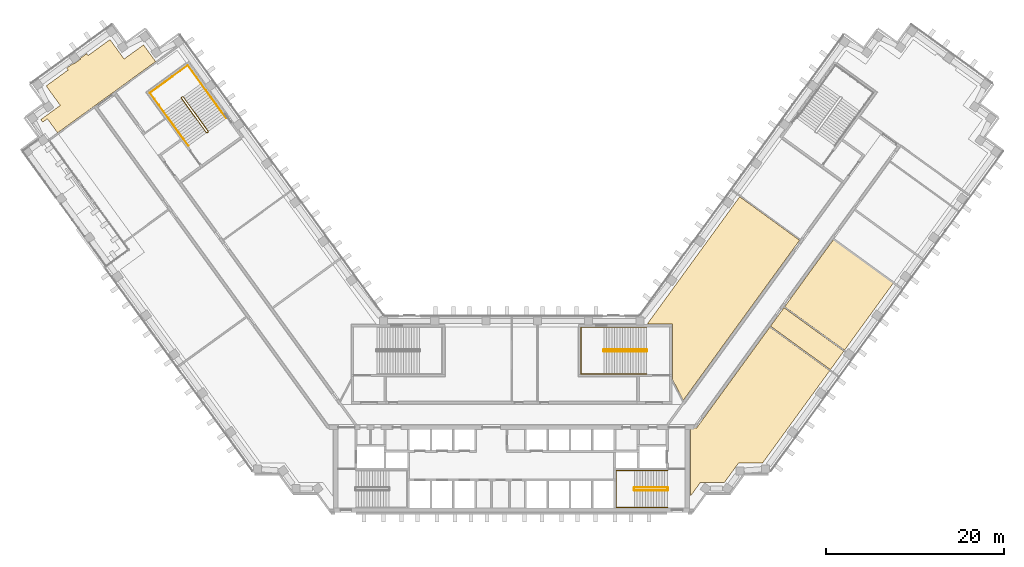
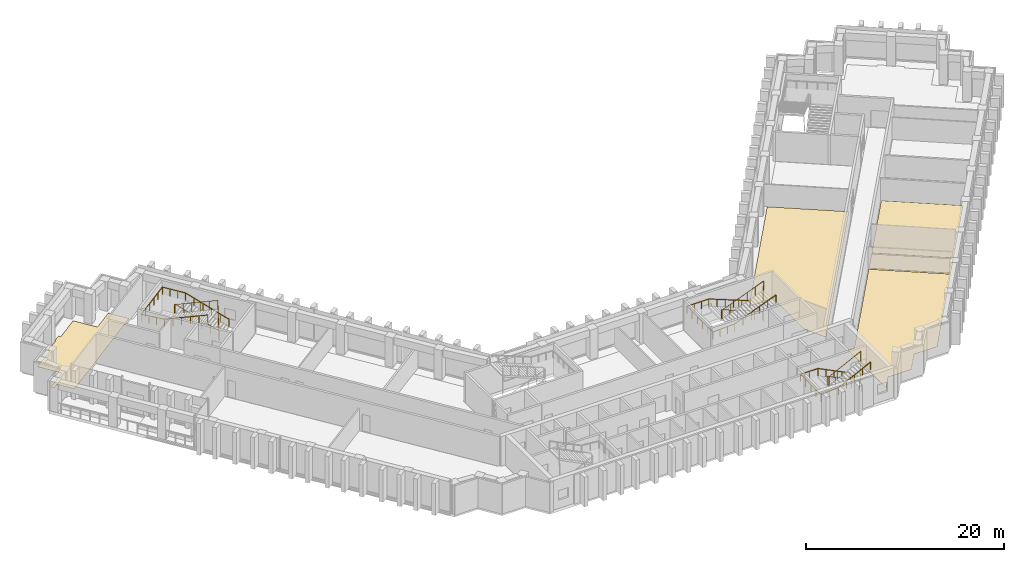
# One storey, part 16 of 17: 6 railings, 5 coverings.
"""IFC4 building model written with IfcOpenShell, lengths in metres."""

from ifc_helpers import new_model, si_unit, direction, frame, origin, origin_2d, place, context, subcontext, project, spatial, polyline, circle, outline, extrude, material, layer, layer_set, type_object, element, save


model = new_model("IFC4")

# Units and contexts
model_context = context("Model", 3, precision=1e-05, world=origin(), true_north=direction((0.0, 1.0)))
body_context = subcontext(model_context, "Body", "Model", "MODEL_VIEW")
ifc_project = project(units=[si_unit("LENGTHUNIT", "METRE"), si_unit("AREAUNIT", "SQUARE_METRE"), si_unit("VOLUMEUNIT", "CUBIC_METRE"), si_unit("PLANEANGLEUNIT", "RADIAN"), si_unit("MASSUNIT", "GRAM", prefix="KILO")], contexts=[model_context])

# Site, building, storey
site_placement = place(None, origin())
site = spatial("IfcSite", under=ifc_project, at=site_placement, CompositionType="ELEMENT")
building_placement = place(site_placement, origin())
building = spatial("IfcBuilding", under=site, at=building_placement, Name="Quipu Civic Tower", CompositionType="ELEMENT")
storey_placement = place(building_placement, frame((0.0, 0.0, 39.0)))
storey = spatial("IfcBuildingStorey", under=building, at=storey_placement, Name="L08", CompositionType="ELEMENT", Elevation=39.0)

# Coverings
ifc_material_1 = material(Name="Carpet tile on raised access floor")
ifc_layer_1 = layer(ifc_material_1, 0.02001953125)
ifc_layer_set_1 = layer_set([ifc_layer_1], Name="Carpet tile on raised access floor")
covering_type_1 = type_object("IfcCoveringType", Name="Carpet tile floor finish 20", PredefinedType="FLOORING", material=ifc_layer_set_1)
covering_1_placement = place(storey_placement, origin())
element("IfcCovering", 1, at=covering_1_placement, inside=storey, type_object=covering_type_1, Name="Carpet tile floor finish 20", PredefinedType="FLOORING", context=body_context, shape_type="SweptSolid", body=[
    extrude(outline(polyline([(20.070068359375, -9.195068359375), (20.070068359375, -1.52001953125), (20.77490234375, -1.51904296875), (29.0029296875, 9.805908203125), (35.72607421875, 4.922119140625), (28.181884765625, -5.4609375), (25.48193359375, -5.4619140625), (25.2080078125, -5.840087890625), (25.205078125, -5.841064453125), (25.200927734375, -5.843017578125), (25.197021484375, -5.844970703125), (25.193115234375, -5.847900390625), (25.18896484375, -5.85205078125), (25.18603515625, -5.85498046875), (25.18310546875, -5.85888671875), (25.179931640625, -5.863037109375), (25.177978515625, -5.867919921875), (25.177001953125, -5.8720703125), (25.175048828125, -5.876953125), (25.175048828125, -5.882080078125), (25.174072265625, -5.885986328125), (23.89501953125, -7.64599609375), (21.721923828125, -7.64599609375), (21.721923828125, -7.64599609375), (21.718017578125, -7.64306640625), (21.712890625, -7.64111328125), (21.708984375, -7.638916015625), (21.7041015625, -7.637939453125), (21.698974609375, -7.636962890625), (21.694091796875, -7.635986328125), (21.68896484375, -7.636962890625), (21.68408203125, -7.636962890625), (21.679931640625, -7.637939453125), (21.675048828125, -7.639892578125), (21.669921875, -7.64111328125), (21.666015625, -7.64404296875), (21.6630859375, -7.64599609375), (21.196044921875, -7.64599609375), (20.070068359375, -9.195068359375)])), origin(), (0.0, 0.0, 1.0), 0.02001953125),
])
covering_2_placement = place(storey_placement, origin())
element("IfcCovering", 2, at=covering_2_placement, inside=storey, type_object=covering_type_1, Name="Carpet tile floor finish 20", PredefinedType="FLOORING", context=body_context, shape_type="SweptSolid", body=[
    extrude(outline(polyline([(30.673095703125, 12.10302734375), (36.14404296875, 19.635009765625), (42.867919921875, 14.751953125), (37.39599609375, 7.218994140625), (30.673095703125, 12.10302734375)])), origin(), (0.0, 0.0, 1.0), 0.02001953125),
])
covering_3_placement = place(storey_placement, origin())
element("IfcCovering", 3, at=covering_3_placement, inside=storey, type_object=covering_type_1, Name="Carpet tile floor finish 20", PredefinedType="FLOORING", context=body_context, shape_type="SweptSolid", body=[
    extrude(outline(polyline([(-52.883056640625, 33.12890625), (-50.698974609375, 34.717041015625), (-52.284912109375, 36.90087890625), (-49.826904296875, 38.68603515625), (-49.97900390625, 38.89697265625), (-49.259033203125, 39.4208984375), (-49.236083984375, 39.388916015625), (-49.23291015625, 39.385009765625), (-49.22900390625, 39.382080078125), (-49.22607421875, 39.3779296875), (-49.220947265625, 39.3759765625), (-49.217041015625, 39.373046875), (-49.212890625, 39.37109375), (-49.2080078125, 39.3701171875), (-49.202880859375, 39.368896484375), (-49.197998046875, 39.367919921875), (-49.193115234375, 39.367919921875), (-49.18896484375, 39.368896484375), (-49.18408203125, 39.3701171875), (-49.178955078125, 39.37109375), (-49.174072265625, 39.373046875), (-49.169921875, 39.375), (-49.166015625, 39.3779296875), (-48.43798828125, 39.906982421875), (-48.43408203125, 39.909912109375), (-48.430908203125, 39.9130859375), (-48.427001953125, 39.9169921875), (-48.425048828125, 39.9208984375), (-48.422119140625, 39.926025390625), (-48.419921875, 39.929931640625), (-48.4189453125, 39.93505859375), (-48.41796875, 39.93994140625), (-48.4169921875, 39.944091796875), (-48.4169921875, 39.948974609375), (-48.41796875, 39.9541015625), (-48.4189453125, 39.958984375), (-48.419921875, 39.964111328125), (-48.422119140625, 39.968017578125), (-48.424072265625, 39.972900390625), (-48.427001953125, 39.97705078125), (-48.449951171875, 40.008056640625), (-47.72900390625, 40.531982421875), (-47.574951171875, 40.322021484375), (-45.116943359375, 42.10791015625), (-43.531982421875, 39.925048828125), (-41.346923828125, 41.510986328125), (-39.989013671875, 39.64208984375), (-51.0048828125, 31.637939453125), (-52.14990234375, 33.215087890625), (-52.6708984375, 32.837890625), (-52.883056640625, 33.12890625)])), origin(), (0.0, 0.0, 1.0), 0.02001953125),
])
covering_4_placement = place(storey_placement, origin())
element("IfcCovering", 4, at=covering_4_placement, inside=storey, type_object=covering_type_1, Name="Carpet tile floor finish 20", PredefinedType="FLOORING", context=body_context, shape_type="SweptSolid", body=[
    extrude(outline(polyline([(15.238037109375, 10.169921875), (25.615966796875, 24.4541015625), (32.339111328125, 19.570068359375), (19.27197265625, 1.583984375), (18.070068359375, 3.94189453125), (18.070068359375, 10.1689453125), (15.238037109375, 10.169921875)])), origin(), (0.0, 0.0, 1.0), 0.02001953125),
])
ifc_material_2 = material(Name="Ceramic floor tile")
ifc_layer_2 = layer(ifc_material_2, 0.030029296875)
ifc_layer_set_2 = layer_set([ifc_layer_2], Name="Ceramic floor tile")
covering_type_2 = type_object("IfcCoveringType", Name="Ceramic tile floor finish 30", PredefinedType="FLOORING", material=ifc_layer_set_2)
covering_5_placement = place(storey_placement, origin())
element("IfcCovering", 5, at=covering_5_placement, inside=storey, type_object=covering_type_2, Name="Ceramic tile floor finish 30", PredefinedType="FLOORING", context=body_context, shape_type="SweptSolid", body=[
    extrude(outline(polyline([(29.0859375, 9.9189453125), (30.590087890625, 11.989990234375), (37.31298828125, 7.10595703125), (35.80908203125, 5.034912109375), (29.0859375, 9.9189453125)])), origin(), (0.0, 0.0, 1.0), 0.030029296875),
])

# Railings
ifc_material_3 = material(Name="Stainless steel", Category="steel")
railing_type_1 = type_object("IfcRailingType", Name="Stair guard 1100", PredefinedType="GUARDRAIL", material=ifc_material_3)
railing_1_placement = place(storey_placement, frame((17.5, -8.199951171875, 0.15380859375)))
element("IfcRailing", 6, at=railing_1_placement, inside=storey, type_object=railing_type_1, Name="Stair 2 guard", PredefinedType="GUARDRAIL", context=body_context, shape_type="SweptSolid", body=[
    extrude(circle(Radius=0.02392578125, at=origin_2d()), frame((0.0, 0.0, 1.076171875), z_axis=(-0.895751851347, 0.0, 0.444554407028), x_axis=(0.0, -1.0, 0.0)), (0.0, 0.0, 1.0), 4.15283203125),
    extrude(circle(Radius=0.02392578125, at=origin_2d()), frame((-3.719970703125, 0.0, 2.92236328125), z_axis=(-0.707106781187, -0.707106781187, 0.0), x_axis=(0.707106781187, -0.707106781187, 0.0)), (0.0, 0.0, 1.0), 0.07080078125),
    extrude(circle(Radius=0.02392578125, at=origin_2d()), frame((-3.77001953125, -0.050048828125, 2.92236328125), z_axis=(0.0, -1.0, 0.0), x_axis=(1.0, 0.0, 0.0)), (0.0, 0.0, 1.0), 0.25),
    extrude(circle(Radius=0.02392578125, at=origin_2d()), frame((-3.77001953125, -0.300048828125, 2.92236328125), z_axis=(0.295599637079, -0.295599637079, 0.908428152975), x_axis=(0.707106781187, 0.707106781187, 0.0)), (0.0, 0.0, 1.0), 0.16943359375),
    extrude(circle(Radius=0.02392578125, at=origin_2d()), frame((-3.719970703125, -0.35009765625, 3.076171875), z_axis=(0.895751851347, 0.0, 0.444554407028), x_axis=(0.0, 1.0, 0.0)), (0.0, 0.0, 1.0), 4.15283203125),
    extrude(circle(Radius=0.02392578125, at=origin_2d()), frame((0.0, -0.35009765625, 4.92236328125), z_axis=(0.012476181752, 0.074796231092, -0.997120789425), x_axis=(-0.986372223864, 0.164529134168, 0.0)), (0.0, 0.0, 1.0), 4.011474609375),
    extrude(circle(Radius=0.02392578125, at=origin_2d()), frame((0.050048828125, -0.050048828125, 0.92236328125), z_axis=(0.0, -1.0, 0.0), x_axis=(1.0, 0.0, 0.0)), (0.0, 0.0, 1.0), 0.25),
    extrude(circle(Radius=0.02099609375, at=origin_2d()), origin(), (0.0, 0.0, 1.0), 1.052001953125),
    extrude(circle(Radius=0.02099609375, at=origin_2d()), frame((-0.929931640625, 0.0, 0.46142578125)), (0.0, 0.0, 1.0), 1.052001953125),
    extrude(circle(Radius=0.02099609375, at=origin_2d()), frame((-1.85986328125, 0.0, 0.923095703125)), (0.0, 0.0, 1.0), 1.052001953125),
    extrude(circle(Radius=0.02099609375, at=origin_2d()), frame((-2.7900390625, 0.0, 1.384765625)), (0.0, 0.0, 1.0), 1.052001953125),
    extrude(circle(Radius=0.02099609375, at=origin_2d()), frame((-3.719970703125, 0.0, 1.84619140625)), (0.0, 0.0, 1.0), 1.052001953125),
    extrude(circle(Radius=0.02099609375, at=origin_2d()), frame((-3.77001953125, -0.050048828125, 1.84619140625)), (0.0, 0.0, 1.0), 1.052001953125),
    extrude(circle(Radius=0.02099609375, at=origin_2d()), frame((-3.77001953125, -0.300048828125, 1.84619140625)), (0.0, 0.0, 1.0), 1.052001953125),
    extrude(circle(Radius=0.02099609375, at=origin_2d()), frame((-3.719970703125, -0.35009765625, 2.0)), (0.0, 0.0, 1.0), 1.052001953125),
    extrude(circle(Radius=0.02099609375, at=origin_2d()), frame((-2.7900390625, -0.35009765625, 2.46142578125)), (0.0, 0.0, 1.0), 1.052001953125),
    extrude(circle(Radius=0.02099609375, at=origin_2d()), frame((-1.85986328125, -0.35009765625, 2.923095703125)), (0.0, 0.0, 1.0), 1.052001953125),
    extrude(circle(Radius=0.02099609375, at=origin_2d()), frame((-0.929931640625, -0.35009765625, 3.384765625)), (0.0, 0.0, 1.0), 1.052001953125),
    extrude(circle(Radius=0.02099609375, at=origin_2d()), frame((0.0, -0.35009765625, 3.84619140625)), (0.0, 0.0, 1.0), 1.052001953125),
    extrude(circle(Radius=0.02099609375, at=origin_2d()), frame((0.012451171875, -0.275146484375, 2.84619140625)), (0.0, 0.0, 1.0), 1.052001953125),
    extrude(circle(Radius=0.02099609375, at=origin_2d()), frame((0.02490234375, -0.2001953125, 1.84619140625)), (0.0, 0.0, 1.0), 1.052001953125),
    extrude(circle(Radius=0.02099609375, at=origin_2d()), frame((0.03759765625, -0.125, 0.84619140625)), (0.0, 0.0, 1.0), 1.052001953125),
    extrude(circle(Radius=0.02099609375, at=origin_2d()), frame((0.050048828125, -0.050048828125, -0.15380859375)), (0.0, 0.0, 1.0), 1.052001953125),
    extrude(circle(Radius=0.02099609375, at=origin_2d()), frame((0.050048828125, -0.300048828125, -0.15380859375)), (0.0, 0.0, 1.0), 1.052001953125),
])
railing_2_placement = place(storey_placement, frame((15.14990234375, 7.300048828125, 0.11767578125)))
element("IfcRailing", 7, at=railing_2_placement, inside=storey, type_object=railing_type_1, Name="Stair 4 guard", PredefinedType="GUARDRAIL", context=body_context, shape_type="SweptSolid", body=[
    extrude(circle(Radius=0.02392578125, at=origin_2d()), frame((0.0, 0.0, 1.076171875), z_axis=(-0.930970042603, 0.0, 0.365095576219), x_axis=(0.0, -1.0, 0.0)), (0.0, 0.0, 1.0), 5.15576171875),
    extrude(circle(Radius=0.02392578125, at=origin_2d()), frame((-4.7998046875, 0.0, 2.95849609375), z_axis=(-0.707106781187, -0.707106781187, 0.0), x_axis=(0.707106781187, -0.707106781187, 0.0)), (0.0, 0.0, 1.0), 0.07080078125),
    extrude(circle(Radius=0.02392578125, at=origin_2d()), frame((-4.849853515625, -0.050048828125, 2.95849609375), z_axis=(0.0, -1.0, 0.0), x_axis=(1.0, 0.0, 0.0)), (0.0, 0.0, 1.0), 0.14990234375),
    extrude(circle(Radius=0.02392578125, at=origin_2d()), frame((-4.849853515625, -0.199951171875, 2.95849609375), z_axis=(0.364463019033, -0.364463019033, 0.856932561824), x_axis=(0.707106781187, 0.707106781187, 0.0)), (0.0, 0.0, 1.0), 0.13720703125),
    extrude(circle(Radius=0.02392578125, at=origin_2d()), frame((-4.7998046875, -0.25, 3.076171875), z_axis=(0.930970042603, 0.0, 0.365095576219), x_axis=(0.0, 1.0, 0.0)), (0.0, 0.0, 1.0), 5.15576171875),
    extrude(circle(Radius=0.02392578125, at=origin_2d()), frame((0.0, -0.25, 4.95849609375), z_axis=(0.012495627992, 0.049921557685, -0.998674970829), x_axis=(-0.970072785993, 0.242814311512, 0.0)), (0.0, 0.0, 1.0), 4.00537109375),
    extrude(circle(Radius=0.02392578125, at=origin_2d()), frame((0.050048828125, -0.050048828125, 0.95849609375), z_axis=(0.0, -1.0, 0.0), x_axis=(1.0, 0.0, 0.0)), (0.0, 0.0, 1.0), 0.14990234375),
    extrude(circle(Radius=0.02099609375, at=origin_2d()), origin(), (0.0, 0.0, 1.0), 1.052001953125),
    extrude(circle(Radius=0.02099609375, at=origin_2d()), frame((-0.9599609375, 0.0, 0.37646484375)), (0.0, 0.0, 1.0), 1.052001953125),
    extrude(circle(Radius=0.02099609375, at=origin_2d()), frame((-1.919921875, 0.0, 0.7529296875)), (0.0, 0.0, 1.0), 1.052001953125),
    extrude(circle(Radius=0.02099609375, at=origin_2d()), frame((-2.8798828125, 0.0, 1.12939453125)), (0.0, 0.0, 1.0), 1.052001953125),
    extrude(circle(Radius=0.02099609375, at=origin_2d()), frame((-3.83984375, 0.0, 1.505859375)), (0.0, 0.0, 1.0), 1.052001953125),
    extrude(circle(Radius=0.02099609375, at=origin_2d()), frame((-4.7998046875, 0.0, 1.88232421875)), (0.0, 0.0, 1.0), 1.052001953125),
    extrude(circle(Radius=0.02099609375, at=origin_2d()), frame((-4.849853515625, -0.050048828125, 1.88232421875)), (0.0, 0.0, 1.0), 1.052001953125),
    extrude(circle(Radius=0.02099609375, at=origin_2d()), frame((-4.849853515625, -0.199951171875, 1.88232421875)), (0.0, 0.0, 1.0), 1.052001953125),
    extrude(circle(Radius=0.02099609375, at=origin_2d()), frame((-4.7998046875, -0.25, 2.0)), (0.0, 0.0, 1.0), 1.052001953125),
    extrude(circle(Radius=0.02099609375, at=origin_2d()), frame((-3.83984375, -0.25, 2.37646484375)), (0.0, 0.0, 1.0), 1.052001953125),
    extrude(circle(Radius=0.02099609375, at=origin_2d()), frame((-2.8798828125, -0.25, 2.7529296875)), (0.0, 0.0, 1.0), 1.052001953125),
    extrude(circle(Radius=0.02099609375, at=origin_2d()), frame((-1.919921875, -0.25, 3.12939453125)), (0.0, 0.0, 1.0), 1.052001953125),
    extrude(circle(Radius=0.02099609375, at=origin_2d()), frame((-0.9599609375, -0.25, 3.505859375)), (0.0, 0.0, 1.0), 1.052001953125),
    extrude(circle(Radius=0.02099609375, at=origin_2d()), frame((0.0, -0.25, 3.88232421875)), (0.0, 0.0, 1.0), 1.052001953125),
    extrude(circle(Radius=0.02099609375, at=origin_2d()), frame((0.012451171875, -0.199951171875, 2.88232421875)), (0.0, 0.0, 1.0), 1.052001953125),
    extrude(circle(Radius=0.02099609375, at=origin_2d()), frame((0.02490234375, -0.14990234375, 1.88232421875)), (0.0, 0.0, 1.0), 1.052001953125),
    extrude(circle(Radius=0.02099609375, at=origin_2d()), frame((0.03759765625, -0.10009765625, 0.88232421875)), (0.0, 0.0, 1.0), 1.052001953125),
    extrude(circle(Radius=0.02099609375, at=origin_2d()), frame((0.050048828125, -0.050048828125, -0.11767578125)), (0.0, 0.0, 1.0), 1.052001953125),
    extrude(circle(Radius=0.02099609375, at=origin_2d()), frame((0.050048828125, -0.199951171875, -0.11767578125)), (0.0, 0.0, 1.0), 1.052001953125),
])
railing_3_placement = place(storey_placement, frame((-34.078857421875, 31.79736328125, 0.11767578125)))
element("IfcRailing", 8, at=railing_3_placement, inside=storey, type_object=railing_type_1, Name="Stair 6 guard", PredefinedType="GUARDRAIL", context=body_context, shape_type="SweptSolid", body=[
    extrude(circle(Radius=0.02392578125, at=origin_2d()), frame((0.0, 0.0, 1.076171875), z_axis=(-0.54720100349, 0.753182689643, 0.365084781664), x_axis=(-0.809026317077, -0.587772420479, 0.0)), (0.0, 0.0, 1.0), 5.15576171875),
    extrude(circle(Radius=0.02392578125, at=origin_2d()), frame((-2.8212890625, 3.88330078125, 2.95849609375), z_axis=(-0.987846838465, 0.155430446612, 0.0), x_axis=(-0.155430446612, -0.987846838465, 0.0)), (0.0, 0.0, 1.0), 0.07080078125),
    extrude(circle(Radius=0.02392578125, at=origin_2d()), frame((-2.89111328125, 3.894287109375, 2.95849609375), z_axis=(-0.809649071907, -0.586914287065, 0.0), x_axis=(0.586914287065, -0.809649071907, 0.0)), (0.0, 0.0, 1.0), 0.150146484375),
    extrude(circle(Radius=0.02392578125, at=origin_2d()), frame((-3.0126953125, 3.80615234375, 2.95849609375), z_axis=(-0.080033047627, -0.508654480474, 0.857242865693), x_axis=(0.987846838465, -0.155430446612, 0.0)), (0.0, 0.0, 1.0), 0.13720703125),
    extrude(circle(Radius=0.02392578125, at=origin_2d()), frame((-3.023681640625, 3.736328125, 3.076171875), z_axis=(0.54720100349, -0.753182689643, 0.365084781664), x_axis=(0.809026317077, 0.587772420479, 0.0)), (0.0, 0.0, 1.0), 5.15576171875),
    extrude(circle(Radius=0.02392578125, at=origin_2d()), frame((-0.202392578125, -0.14697265625, 4.95849609375), z_axis=(0.047788004556, 0.019261491632, -0.998671768681), x_axis=(-0.373837031195, 0.92749440651, 0.0)), (0.0, 0.0, 1.0), 4.00537109375),
    extrude(circle(Radius=0.02392578125, at=origin_2d()), frame((-0.010986328125, -0.06982421875, 0.95849609375), z_axis=(-0.809087927272, -0.587687609145, 0.0), x_axis=(0.587687609145, -0.809087927272, 0.0)), (0.0, 0.0, 1.0), 0.14990234375),
    extrude(circle(Radius=0.02099609375, at=origin_2d()), origin(), (0.0, 0.0, 1.0), 1.052001953125),
    extrude(circle(Radius=0.02099609375, at=origin_2d()), frame((-0.564208984375, 0.776611328125, 0.37646484375)), (0.0, 0.0, 1.0), 1.052001953125),
    extrude(circle(Radius=0.02099609375, at=origin_2d()), frame((-1.12841796875, 1.55322265625, 0.7529296875)), (0.0, 0.0, 1.0), 1.052001953125),
    extrude(circle(Radius=0.02099609375, at=origin_2d()), frame((-1.69287109375, 2.330078125, 1.12939453125)), (0.0, 0.0, 1.0), 1.052001953125),
    extrude(circle(Radius=0.02099609375, at=origin_2d()), frame((-2.257080078125, 3.106689453125, 1.505859375)), (0.0, 0.0, 1.0), 1.052001953125),
    extrude(circle(Radius=0.02099609375, at=origin_2d()), frame((-2.8212890625, 3.88330078125, 1.88232421875)), (0.0, 0.0, 1.0), 1.052001953125),
    extrude(circle(Radius=0.02099609375, at=origin_2d()), frame((-2.89111328125, 3.894287109375, 1.88232421875)), (0.0, 0.0, 1.0), 1.052001953125),
    extrude(circle(Radius=0.02099609375, at=origin_2d()), frame((-3.0126953125, 3.80615234375, 1.88232421875)), (0.0, 0.0, 1.0), 1.052001953125),
    extrude(circle(Radius=0.02099609375, at=origin_2d()), frame((-3.023681640625, 3.736328125, 2.0)), (0.0, 0.0, 1.0), 1.052001953125),
    extrude(circle(Radius=0.02099609375, at=origin_2d()), frame((-2.45947265625, 2.959716796875, 2.37646484375)), (0.0, 0.0, 1.0), 1.052001953125),
    extrude(circle(Radius=0.02099609375, at=origin_2d()), frame((-1.895263671875, 2.18310546875, 2.7529296875)), (0.0, 0.0, 1.0), 1.052001953125),
    extrude(circle(Radius=0.02099609375, at=origin_2d()), frame((-1.330810546875, 1.40625, 3.12939453125)), (0.0, 0.0, 1.0), 1.052001953125),
    extrude(circle(Radius=0.02099609375, at=origin_2d()), frame((-0.7666015625, 0.629638671875, 3.505859375)), (0.0, 0.0, 1.0), 1.052001953125),
    extrude(circle(Radius=0.02099609375, at=origin_2d()), frame((-0.202392578125, -0.14697265625, 3.88232421875)), (0.0, 0.0, 1.0), 1.052001953125),
    extrude(circle(Radius=0.02099609375, at=origin_2d()), frame((-0.154541015625, -0.127685546875, 2.88232421875)), (0.0, 0.0, 1.0), 1.052001953125),
    extrude(circle(Radius=0.02099609375, at=origin_2d()), frame((-0.106689453125, -0.1083984375, 1.88232421875)), (0.0, 0.0, 1.0), 1.052001953125),
    extrude(circle(Radius=0.02099609375, at=origin_2d()), frame((-0.058837890625, -0.089111328125, 0.88232421875)), (0.0, 0.0, 1.0), 1.052001953125),
    extrude(circle(Radius=0.02099609375, at=origin_2d()), frame((-0.010986328125, -0.06982421875, -0.11767578125)), (0.0, 0.0, 1.0), 1.052001953125),
    extrude(circle(Radius=0.02099609375, at=origin_2d()), frame((-0.13232421875, -0.157958984375, -0.11767578125)), (0.0, 0.0, 1.0), 1.052001953125),
])
ifc_material_4 = material(Name="Stainless steel", Category="steel")
railing_type_2 = type_object("IfcRailingType", Name="Stair handrail", PredefinedType="HANDRAIL", material=ifc_material_4)
railing_4_placement = place(storey_placement, frame((17.5, -6.300048828125, 0.15380859375)))
element("IfcRailing", 9, at=railing_4_placement, inside=storey, type_object=railing_type_2, Name="Stair 2 handrail", PredefinedType="HANDRAIL", context=body_context, shape_type="SweptSolid", body=[
    extrude(circle(Radius=0.02392578125, at=origin_2d()), frame((0.0, 0.0, 0.8759765625), z_axis=(-0.895751851347, 0.0, 0.444554407028), x_axis=(0.0, -1.0, 0.0)), (0.0, 0.0, 1.0), 4.15283203125),
    extrude(circle(Radius=0.02392578125, at=origin_2d()), frame((-3.719970703125, 0.0, 2.72216796875), z_axis=(-1.0, 0.0, 0.0), x_axis=(0.0, -1.0, 0.0)), (0.0, 0.0, 1.0), 2.030029296875),
    extrude(circle(Radius=0.02392578125, at=origin_2d()), frame((-5.75, 0.0, 2.72216796875), z_axis=(0.0, -1.0, 0.0), x_axis=(1.0, 0.0, 0.0)), (0.0, 0.0, 1.0), 4.14990234375),
    extrude(circle(Radius=0.02392578125, at=origin_2d()), frame((-5.75, -4.14990234375, 2.72216796875), z_axis=(0.997142003663, 0.0, 0.075550145798), x_axis=(0.0, 1.0, 0.0)), (0.0, 0.0, 1.0), 2.035888671875),
    extrude(circle(Radius=0.02392578125, at=origin_2d()), frame((-3.719970703125, -4.14990234375, 2.8759765625), z_axis=(0.895751851347, 0.0, 0.444554407028), x_axis=(0.0, 1.0, 0.0)), (0.0, 0.0, 1.0), 4.15283203125),
    extrude(circle(Radius=0.02099609375, at=origin_2d()), origin(), (0.0, 0.0, 1.0), 0.851806640625),
    extrude(circle(Radius=0.02099609375, at=origin_2d()), frame((-0.929931640625, 0.0, 0.46142578125)), (0.0, 0.0, 1.0), 0.851806640625),
    extrude(circle(Radius=0.02099609375, at=origin_2d()), frame((-1.85986328125, 0.0, 0.923095703125)), (0.0, 0.0, 1.0), 0.851806640625),
    extrude(circle(Radius=0.02099609375, at=origin_2d()), frame((-2.7900390625, 0.0, 1.384765625)), (0.0, 0.0, 1.0), 0.851806640625),
    extrude(circle(Radius=0.02099609375, at=origin_2d()), frame((-3.719970703125, 0.0, 1.84619140625)), (0.0, 0.0, 1.0), 0.851806640625),
    extrude(circle(Radius=0.02099609375, at=origin_2d()), frame((-4.73486328125, 0.0, 1.84619140625)), (0.0, 0.0, 1.0), 0.851806640625),
    extrude(circle(Radius=0.02099609375, at=origin_2d()), frame((-5.75, 0.0, 1.84619140625)), (0.0, 0.0, 1.0), 0.851806640625),
    extrude(circle(Radius=0.02099609375, at=origin_2d()), frame((-5.75, -1.03759765625, 1.84619140625)), (0.0, 0.0, 1.0), 0.851806640625),
    extrude(circle(Radius=0.02099609375, at=origin_2d()), frame((-5.75, -2.074951171875, 1.84619140625)), (0.0, 0.0, 1.0), 0.851806640625),
    extrude(circle(Radius=0.02099609375, at=origin_2d()), frame((-5.75, -3.1123046875, 1.84619140625)), (0.0, 0.0, 1.0), 0.851806640625),
    extrude(circle(Radius=0.02099609375, at=origin_2d()), frame((-5.75, -4.14990234375, 1.84619140625)), (0.0, 0.0, 1.0), 0.851806640625),
    extrude(circle(Radius=0.02099609375, at=origin_2d()), frame((-4.73486328125, -4.14990234375, 1.923095703125)), (0.0, 0.0, 1.0), 0.851806640625),
    extrude(circle(Radius=0.02099609375, at=origin_2d()), frame((-3.719970703125, -4.14990234375, 2.0)), (0.0, 0.0, 1.0), 0.851806640625),
    extrude(circle(Radius=0.02099609375, at=origin_2d()), frame((-2.7900390625, -4.14990234375, 2.46142578125)), (0.0, 0.0, 1.0), 0.851806640625),
    extrude(circle(Radius=0.02099609375, at=origin_2d()), frame((-1.85986328125, -4.14990234375, 2.923095703125)), (0.0, 0.0, 1.0), 0.851806640625),
    extrude(circle(Radius=0.02099609375, at=origin_2d()), frame((-0.929931640625, -4.14990234375, 3.384765625)), (0.0, 0.0, 1.0), 0.851806640625),
    extrude(circle(Radius=0.02099609375, at=origin_2d()), frame((0.0, -4.14990234375, 3.84619140625)), (0.0, 0.0, 1.0), 0.851806640625),
])
railing_5_placement = place(storey_placement, frame((15.14990234375, 9.800048828125, 0.11767578125)))
element("IfcRailing", 10, at=railing_5_placement, inside=storey, type_object=railing_type_2, Name="Stair 4 handrail", PredefinedType="HANDRAIL", context=body_context, shape_type="SweptSolid", body=[
    extrude(circle(Radius=0.02392578125, at=origin_2d()), frame((0.0, 0.0, 0.8759765625), z_axis=(-0.930970042603, 0.0, 0.365095576219), x_axis=(0.0, -1.0, 0.0)), (0.0, 0.0, 1.0), 5.15576171875),
    extrude(circle(Radius=0.02392578125, at=origin_2d()), frame((-4.7998046875, 0.0, 2.75830078125), z_axis=(-1.0, 0.0, 0.0), x_axis=(0.0, -1.0, 0.0)), (0.0, 0.0, 1.0), 2.550048828125),
    extrude(circle(Radius=0.02392578125, at=origin_2d()), frame((-7.349853515625, 0.0, 2.75830078125), z_axis=(0.0, -1.0, 0.0), x_axis=(1.0, 0.0, 0.0)), (0.0, 0.0, 1.0), 5.25),
    extrude(circle(Radius=0.02392578125, at=origin_2d()), frame((-7.349853515625, -5.25, 2.75830078125), z_axis=(0.998936948642, 0.0, 0.04609742549), x_axis=(0.0, 1.0, 0.0)), (0.0, 0.0, 1.0), 2.552734375),
    extrude(circle(Radius=0.02392578125, at=origin_2d()), frame((-4.7998046875, -5.25, 2.8759765625), z_axis=(0.930970042603, 0.0, 0.365095576219), x_axis=(0.0, 1.0, 0.0)), (0.0, 0.0, 1.0), 5.15576171875),
    extrude(circle(Radius=0.02099609375, at=origin_2d()), origin(), (0.0, 0.0, 1.0), 0.851806640625),
    extrude(circle(Radius=0.02099609375, at=origin_2d()), frame((-0.9599609375, 0.0, 0.37646484375)), (0.0, 0.0, 1.0), 0.851806640625),
    extrude(circle(Radius=0.02099609375, at=origin_2d()), frame((-1.919921875, 0.0, 0.7529296875)), (0.0, 0.0, 1.0), 0.851806640625),
    extrude(circle(Radius=0.02099609375, at=origin_2d()), frame((-2.8798828125, 0.0, 1.12939453125)), (0.0, 0.0, 1.0), 0.851806640625),
    extrude(circle(Radius=0.02099609375, at=origin_2d()), frame((-3.83984375, 0.0, 1.505859375)), (0.0, 0.0, 1.0), 0.851806640625),
    extrude(circle(Radius=0.02099609375, at=origin_2d()), frame((-4.7998046875, 0.0, 1.88232421875)), (0.0, 0.0, 1.0), 0.851806640625),
    extrude(circle(Radius=0.02099609375, at=origin_2d()), frame((-5.64990234375, 0.0, 1.88232421875)), (0.0, 0.0, 1.0), 0.851806640625),
    extrude(circle(Radius=0.02099609375, at=origin_2d()), frame((-6.499755859375, 0.0, 1.88232421875)), (0.0, 0.0, 1.0), 0.851806640625),
    extrude(circle(Radius=0.02099609375, at=origin_2d()), frame((-7.349853515625, 0.0, 1.88232421875)), (0.0, 0.0, 1.0), 0.851806640625),
    extrude(circle(Radius=0.02099609375, at=origin_2d()), frame((-7.349853515625, -1.050048828125, 1.88232421875)), (0.0, 0.0, 1.0), 0.851806640625),
    extrude(circle(Radius=0.02099609375, at=origin_2d()), frame((-7.349853515625, -2.10009765625, 1.88232421875)), (0.0, 0.0, 1.0), 0.851806640625),
    extrude(circle(Radius=0.02099609375, at=origin_2d()), frame((-7.349853515625, -3.14990234375, 1.88232421875)), (0.0, 0.0, 1.0), 0.851806640625),
    extrude(circle(Radius=0.02099609375, at=origin_2d()), frame((-7.349853515625, -4.199951171875, 1.88232421875)), (0.0, 0.0, 1.0), 0.851806640625),
    extrude(circle(Radius=0.02099609375, at=origin_2d()), frame((-7.349853515625, -5.25, 1.88232421875)), (0.0, 0.0, 1.0), 0.851806640625),
    extrude(circle(Radius=0.02099609375, at=origin_2d()), frame((-6.499755859375, -5.25, 1.921630859375)), (0.0, 0.0, 1.0), 0.851806640625),
    extrude(circle(Radius=0.02099609375, at=origin_2d()), frame((-5.64990234375, -5.25, 1.960693359375)), (0.0, 0.0, 1.0), 0.851806640625),
    extrude(circle(Radius=0.02099609375, at=origin_2d()), frame((-4.7998046875, -5.25, 2.0)), (0.0, 0.0, 1.0), 0.851806640625),
    extrude(circle(Radius=0.02099609375, at=origin_2d()), frame((-3.83984375, -5.25, 2.37646484375)), (0.0, 0.0, 1.0), 0.851806640625),
    extrude(circle(Radius=0.02099609375, at=origin_2d()), frame((-2.8798828125, -5.25, 2.7529296875)), (0.0, 0.0, 1.0), 0.851806640625),
    extrude(circle(Radius=0.02099609375, at=origin_2d()), frame((-1.919921875, -5.25, 3.12939453125)), (0.0, 0.0, 1.0), 0.851806640625),
    extrude(circle(Radius=0.02099609375, at=origin_2d()), frame((-0.9599609375, -5.25, 3.505859375)), (0.0, 0.0, 1.0), 0.851806640625),
    extrude(circle(Radius=0.02099609375, at=origin_2d()), frame((0.0, -5.25, 3.88232421875)), (0.0, 0.0, 1.0), 0.851806640625),
])
railing_6_placement = place(storey_placement, frame((-32.056396484375, 33.266845703125, 0.11767578125)))
element("IfcRailing", 11, at=railing_6_placement, inside=storey, type_object=railing_type_2, Name="Stair 6 handrail", PredefinedType="HANDRAIL", context=body_context, shape_type="SweptSolid", body=[
    extrude(circle(Radius=0.02392578125, at=origin_2d()), frame((0.0, 0.0, 0.8759765625), z_axis=(-0.54720100349, 0.753182689643, 0.365084781664), x_axis=(-0.809026317077, -0.587772420479, 0.0)), (0.0, 0.0, 1.0), 5.15576171875),
    extrude(circle(Radius=0.02392578125, at=origin_2d()), frame((-2.8212890625, 3.88330078125, 2.75830078125), z_axis=(-0.587767432704, 0.809029940764, 0.0), x_axis=(-0.809029940764, -0.587767432704, 0.0)), (0.0, 0.0, 1.0), 2.550048828125),
    extrude(circle(Radius=0.02392578125, at=origin_2d()), frame((-4.320068359375, 5.9462890625, 2.75830078125), z_axis=(-0.809009483706, -0.587795589702, 0.0), x_axis=(0.587795589702, -0.809009483706, 0.0)), (0.0, 0.0, 1.0), 5.25),
    extrude(circle(Radius=0.02392578125, at=origin_2d()), frame((-8.5673828125, 2.8603515625, 2.75830078125), z_axis=(0.587142558822, -0.808169835812, 0.046099155132), x_axis=(0.809029940764, 0.587767432704, 0.0)), (0.0, 0.0, 1.0), 2.552734375),
    extrude(circle(Radius=0.02392578125, at=origin_2d()), frame((-7.068603515625, 0.79736328125, 2.8759765625), z_axis=(0.54720100349, -0.753182689643, 0.365084781664), x_axis=(0.809026317077, 0.587772420479, 0.0)), (0.0, 0.0, 1.0), 5.15576171875),
    extrude(circle(Radius=0.02099609375, at=origin_2d()), origin(), (0.0, 0.0, 1.0), 0.851806640625),
    extrude(circle(Radius=0.02099609375, at=origin_2d()), frame((-0.564208984375, 0.776611328125, 0.37646484375)), (0.0, 0.0, 1.0), 0.851806640625),
    extrude(circle(Radius=0.02099609375, at=origin_2d()), frame((-1.12841796875, 1.55322265625, 0.7529296875)), (0.0, 0.0, 1.0), 0.851806640625),
    extrude(circle(Radius=0.02099609375, at=origin_2d()), frame((-1.69287109375, 2.330078125, 1.12939453125)), (0.0, 0.0, 1.0), 0.851806640625),
    extrude(circle(Radius=0.02099609375, at=origin_2d()), frame((-2.257080078125, 3.106689453125, 1.505859375)), (0.0, 0.0, 1.0), 0.851806640625),
    extrude(circle(Radius=0.02099609375, at=origin_2d()), frame((-2.8212890625, 3.88330078125, 1.88232421875)), (0.0, 0.0, 1.0), 0.851806640625),
    extrude(circle(Radius=0.02099609375, at=origin_2d()), frame((-3.32080078125, 4.571044921875, 1.88232421875)), (0.0, 0.0, 1.0), 0.851806640625),
    extrude(circle(Radius=0.02099609375, at=origin_2d()), frame((-3.820556640625, 5.258544921875, 1.88232421875)), (0.0, 0.0, 1.0), 0.851806640625),
    extrude(circle(Radius=0.02099609375, at=origin_2d()), frame((-4.320068359375, 5.9462890625, 1.88232421875)), (0.0, 0.0, 1.0), 0.851806640625),
    extrude(circle(Radius=0.02099609375, at=origin_2d()), frame((-5.16943359375, 5.3291015625, 1.88232421875)), (0.0, 0.0, 1.0), 0.851806640625),
    extrude(circle(Radius=0.02099609375, at=origin_2d()), frame((-6.01904296875, 4.7119140625, 1.88232421875)), (0.0, 0.0, 1.0), 0.851806640625),
    extrude(circle(Radius=0.02099609375, at=origin_2d()), frame((-6.868408203125, 4.0947265625, 1.88232421875)), (0.0, 0.0, 1.0), 0.851806640625),
    extrude(circle(Radius=0.02099609375, at=origin_2d()), frame((-7.718017578125, 3.4775390625, 1.88232421875)), (0.0, 0.0, 1.0), 0.851806640625),
    extrude(circle(Radius=0.02099609375, at=origin_2d()), frame((-8.5673828125, 2.8603515625, 1.88232421875)), (0.0, 0.0, 1.0), 0.851806640625),
    extrude(circle(Radius=0.02099609375, at=origin_2d()), frame((-8.06787109375, 2.172607421875, 1.921630859375)), (0.0, 0.0, 1.0), 0.851806640625),
    extrude(circle(Radius=0.02099609375, at=origin_2d()), frame((-7.568115234375, 1.485107421875, 1.960693359375)), (0.0, 0.0, 1.0), 0.851806640625),
    extrude(circle(Radius=0.02099609375, at=origin_2d()), frame((-7.068603515625, 0.79736328125, 2.0)), (0.0, 0.0, 1.0), 0.851806640625),
    extrude(circle(Radius=0.02099609375, at=origin_2d()), frame((-6.50439453125, 0.020751953125, 2.37646484375)), (0.0, 0.0, 1.0), 0.851806640625),
    extrude(circle(Radius=0.02099609375, at=origin_2d()), frame((-5.940185546875, -0.755859375, 2.7529296875)), (0.0, 0.0, 1.0), 0.851806640625),
    extrude(circle(Radius=0.02099609375, at=origin_2d()), frame((-5.375732421875, -1.53271484375, 3.12939453125)), (0.0, 0.0, 1.0), 0.851806640625),
    extrude(circle(Radius=0.02099609375, at=origin_2d()), frame((-4.8115234375, -2.309326171875, 3.505859375)), (0.0, 0.0, 1.0), 0.851806640625),
    extrude(circle(Radius=0.02099609375, at=origin_2d()), frame((-4.247314453125, -3.0859375, 3.88232421875)), (0.0, 0.0, 1.0), 0.851806640625),
])

save(model, "model.ifc")
